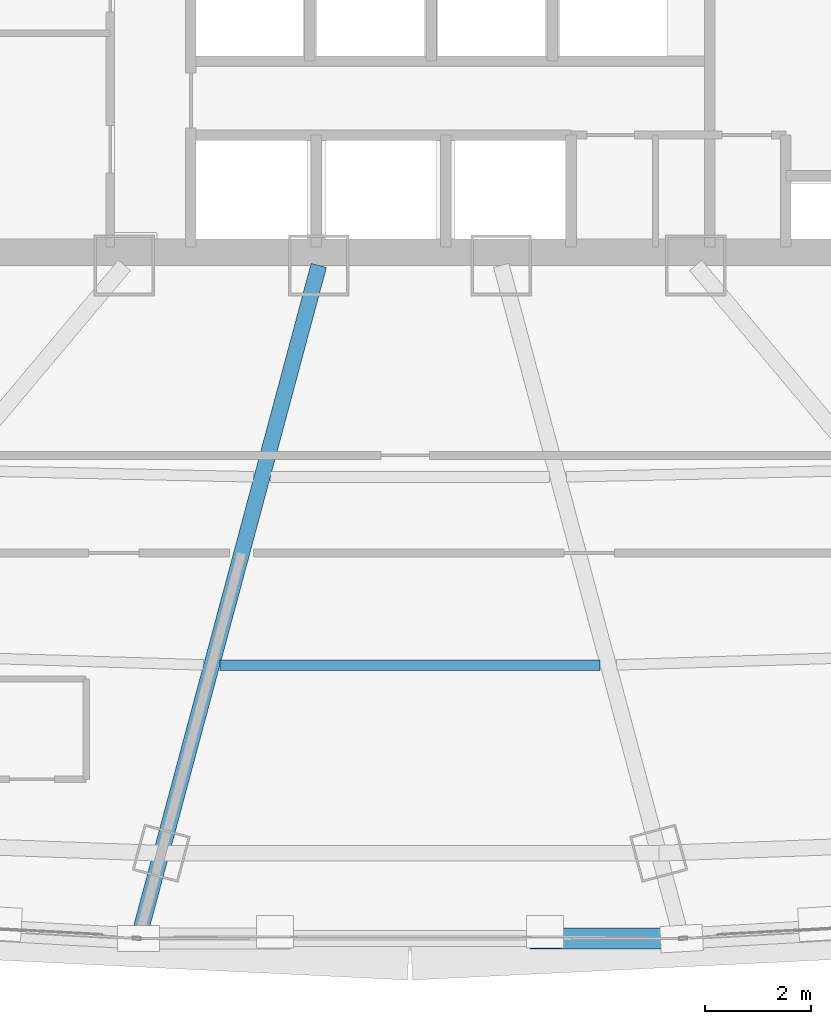
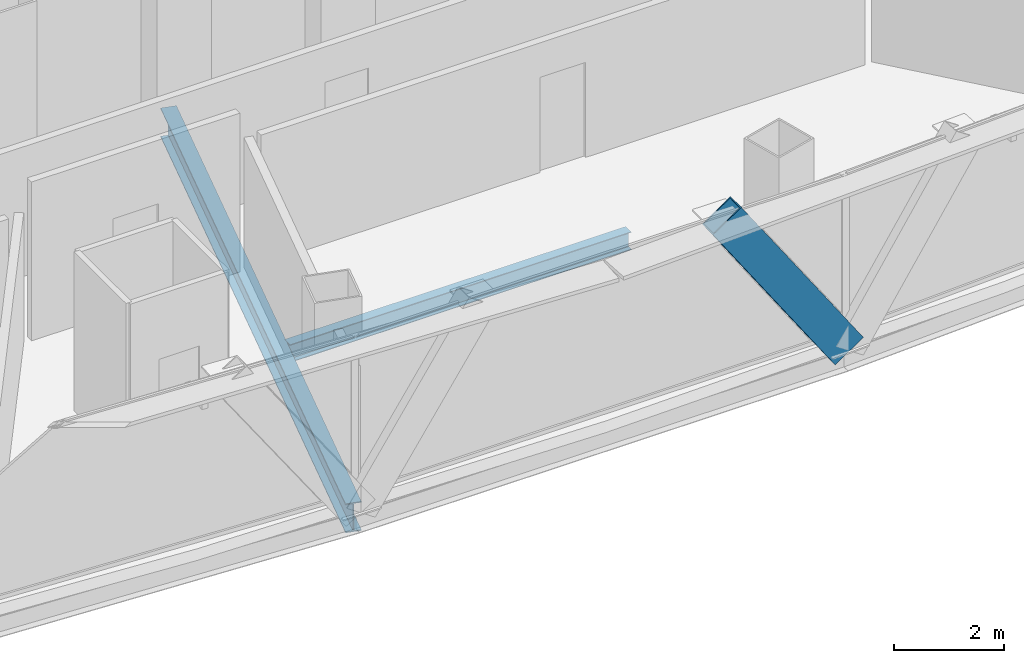
# One storey, part 11 of 37: 2 beams, 1 member.
"""IFC4 building model written with IfcOpenShell, lengths in metres."""

from ifc_helpers import new_model, si_unit, direction, frame, origin, origin_2d, place, context, subcontext, project, spatial, hollow_rectangle, i_section, extrude, source, transform, mapped, material, material_profile, profile_set, type_object, element, save


model = new_model("IFC4")

# Units and contexts
model_context = context("Model", 3, precision=1e-05, world=origin(), true_north=direction((0.0, 1.0)))
body_context = subcontext(model_context, "Body", "Model", "MODEL_VIEW")
ifc_project = project(units=[si_unit("LENGTHUNIT", "METRE"), si_unit("AREAUNIT", "SQUARE_METRE"), si_unit("VOLUMEUNIT", "CUBIC_METRE"), si_unit("PLANEANGLEUNIT", "RADIAN"), si_unit("MASSUNIT", "GRAM", prefix="KILO"), si_unit("THERMODYNAMICTEMPERATUREUNIT", "KELVIN"), si_unit("POWERUNIT", "WATT")], contexts=[model_context])

# Site, building, storey
site_placement = place(None, origin())
site = spatial("IfcSite", under=ifc_project, at=site_placement, CompositionType="ELEMENT")
building_placement = place(site_placement, origin())
building = spatial("IfcBuilding", under=site, at=building_placement, Name="Yunzhuo Pagoda Commons", CompositionType="ELEMENT")
storey_placement = place(building_placement, frame((0.0, 0.0, 207.56005859375)))
storey = spatial("IfcBuildingStorey", under=building, at=storey_placement, Name="L52", CompositionType="ELEMENT", Elevation=207.56005859375)

# Beams
ifc_material = material(Name="Structural steel Q355B", Category="steel")
ifc_material_profile_1 = material_profile(ifc_material, i_section(OverallWidth=0.199951171875, OverallDepth=0.39990234375, WebThickness=0.008056640625, FlangeThickness=0.012939453125, at=origin_2d()), Name="Structural steel Q355B")
ifc_profile_set_1 = profile_set([ifc_material_profile_1], Name="Structural steel Q355B")
beam_type_1 = type_object("IfcBeamType", Name="B-JS1 Joist HN 400x200x8x13", PredefinedType="JOIST", material=ifc_profile_set_1)
shared_shape_1 = source(origin(), body_context, "Body", "SweptSolid", [
    extrude(i_section(OverallWidth=0.199951171875, OverallDepth=0.39990234375, WebThickness=0.008056640625, FlangeThickness=0.012939453125, at=origin_2d()), origin(), (0.0, 0.0, 1.0), 7.197265625),
])
beam_1_placement = place(storey_placement, frame((44.4013671875, 19.676513671875, -0.4599609375), z_axis=(1.0, 0.0, 0.0), x_axis=(0.0, 1.0, 0.0)))
element("IfcBeam", 1, at=beam_1_placement, inside=storey, type_object=beam_type_1, Name="L52 composite ring joist 2.2", PredefinedType="JOIST", context=body_context, shape_type="MappedRepresentation", body=[
    mapped(shared_shape_1, transform((0.0, 0.0, 0.0), scale=1.0)),
])
ifc_material_profile_2 = material_profile(ifc_material, i_section(OverallWidth=0.300048828125, OverallDepth=0.64990234375, WebThickness=0.012939453125, FlangeThickness=0.02197265625, at=origin_2d()), Name="Structural steel Q355B")
ifc_profile_set_2 = profile_set([ifc_material_profile_2], Name="Structural steel Q355B")
beam_type_2 = type_object("IfcBeamType", Name="B-RG2 Beam HN 650x300x13x22", PredefinedType="BEAM", material=ifc_profile_set_2)
shared_shape_2 = source(origin(), body_context, "Body", "SweptSolid", [
    extrude(i_section(OverallWidth=0.300048828125, OverallDepth=0.64990234375, WebThickness=0.012939453125, FlangeThickness=0.02197265625, at=origin_2d()), origin(), (0.0, 0.0, 1.0), 13.048095703125),
])
beam_2_placement = place(storey_placement, frame((42.89453125, 14.646484375, -0.5849609375), z_axis=(0.258843326186, 0.965919319865, 0.0), x_axis=(-0.965919319865, 0.258843326186, 0.0)))
element("IfcBeam", 2, at=beam_2_placement, inside=storey, type_object=beam_type_2, Name="L52 radial floor girder F1C2", PredefinedType="BEAM", context=body_context, shape_type="MappedRepresentation", body=[
    mapped(shared_shape_2, transform((0.0, 0.0, 0.0), scale=1.0)),
])

# Member
ifc_material_profile_3 = material_profile(ifc_material, hollow_rectangle(XDim=0.39990234375, YDim=0.719970703125, WallThickness=0.02392578125, at=origin_2d()), Name="Structural steel Q355B")
ifc_profile_set_3 = profile_set([ifc_material_profile_3], Name="Structural steel Q355B")
member_type = type_object("IfcMemberType", Name="M-DL2 Brace BOX 720x400x24", PredefinedType="BRACE", material=ifc_profile_set_3)
shared_shape_3 = source(origin(), body_context, "Body", "SweptSolid", [
    extrude(hollow_rectangle(XDim=0.39990234375, YDim=0.719970703125, WallThickness=0.02392578125, at=origin_2d()), origin(), (0.0, 0.0, 1.0), 4.589111328125),
])
member_placement = place(storey_placement, frame((53.1455078125, 14.496826171875, -0.260009765625), z_axis=(-0.560628151048, 0.0, 0.828067676131), x_axis=(0.0, -1.0, 0.0)))
element("IfcMember", 3, at=member_placement, inside=storey, type_object=member_type, Name="L52 facade diamond brace F1.2R", PredefinedType="BRACE", context=body_context, shape_type="MappedRepresentation", body=[
    mapped(shared_shape_3, transform((0.0, 0.0, 0.0), scale=1.0)),
])

save(model, "model.ifc")
